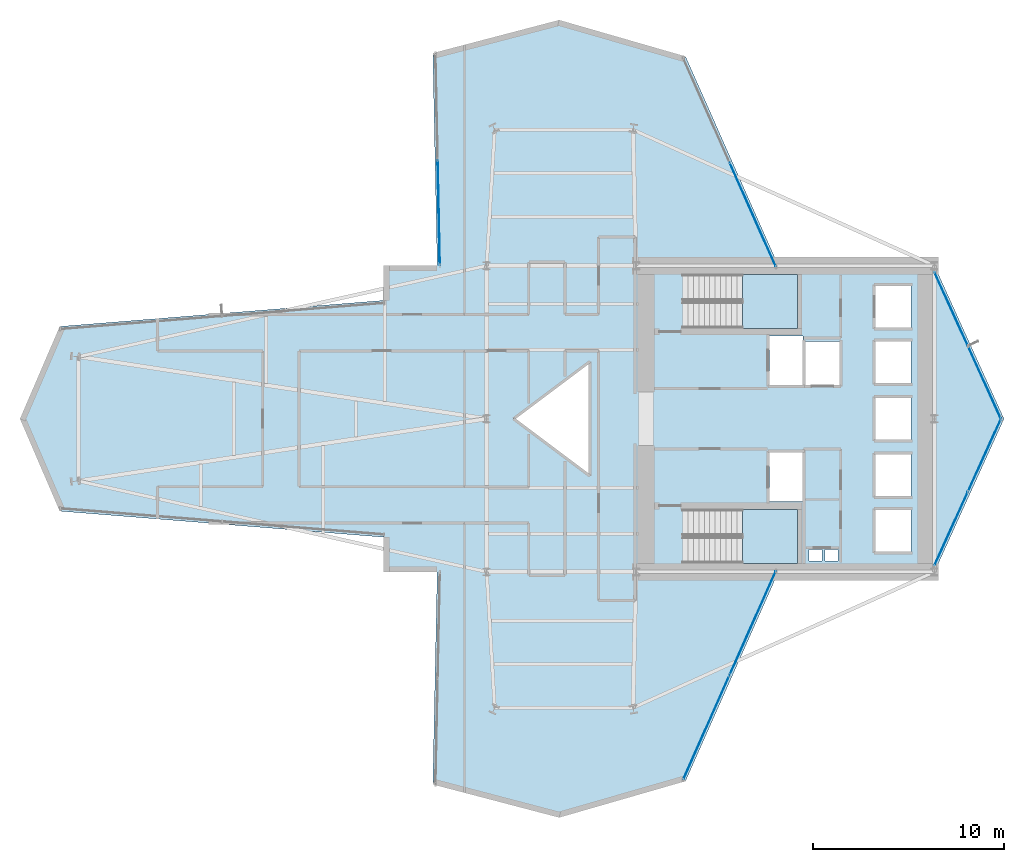
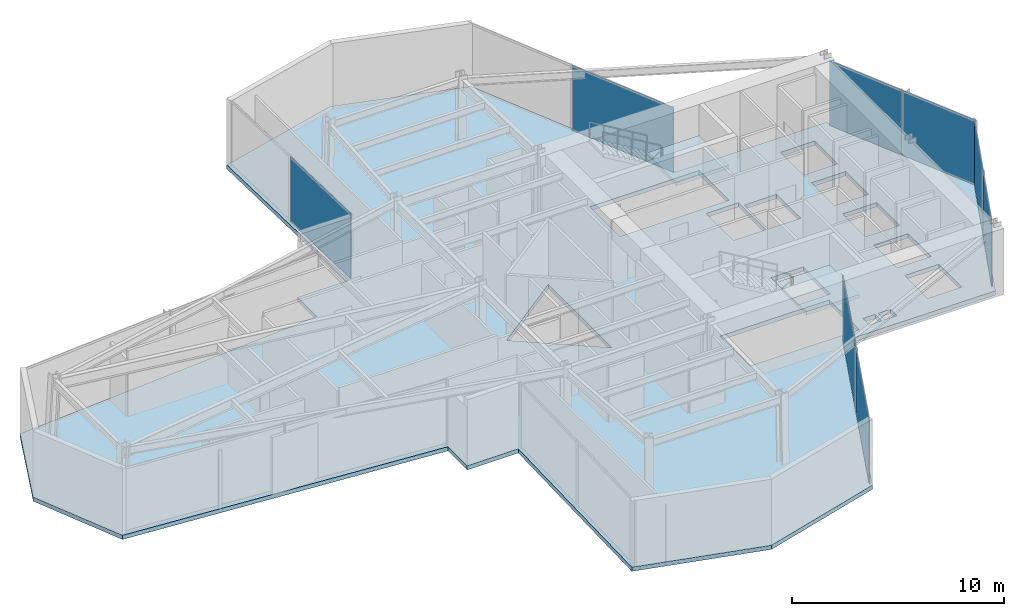
# One storey, part 19 of 24: 8 plates, 3 slabs, 7 elements without a shape of their own.
"""IFC4 building model written with IfcOpenShell, lengths in metres."""

from ifc_helpers import new_model, si_unit, direction, frame, origin, origin_2d, place, context, subcontext, project, spatial, polyline, rectangle, outline, extrude, material, layer, layer_set, type_object, element, aggregate, save


model = new_model("IFC4")

# Units and contexts
model_context = context("Model", 3, precision=1e-05, world=origin(), true_north=direction((0.0, 1.0)))
body_context = subcontext(model_context, "Body", "Model", "MODEL_VIEW")
ifc_project = project(units=[si_unit("LENGTHUNIT", "METRE"), si_unit("AREAUNIT", "SQUARE_METRE"), si_unit("VOLUMEUNIT", "CUBIC_METRE"), si_unit("PLANEANGLEUNIT", "RADIAN"), si_unit("MASSUNIT", "GRAM", prefix="KILO")], contexts=[model_context])

# Site, building, storey
site_placement = place(None, origin())
site = spatial("IfcSite", under=ifc_project, at=site_placement, CompositionType="ELEMENT")
building_placement = place(site_placement, origin())
building = spatial("IfcBuilding", under=site, at=building_placement, Name="Veymaron Broadcast Tower", CompositionType="ELEMENT")
storey_placement = place(building_placement, frame((0.0, 0.0, 98.550048828125)))
storey = spatial("IfcBuildingStorey", under=building, at=storey_placement, Name="L22", CompositionType="ELEMENT", Elevation=98.550048828125)

# Curtain wall, plates
ifc_material_1 = material(Name="Anodised aluminium AA 6063-T6 and laminated low-E dark glass", Category="aluminium")
ifc_layer_1 = layer(ifc_material_1, 0.179931640625)
ifc_layer_set_1 = layer_set([ifc_layer_1], Name="Anodised aluminium AA 6063-T6 and laminated low-E dark glass")
curtain_wall_type = type_object("IfcCurtainWallType", Name="CW-SYS-02", PredefinedType="NOTDEFINED", material=ifc_layer_set_1)
curtain_wall_1_placement = place(storey_placement, origin())
curtain_wall_1 = element("IfcCurtainWall", 1, at=curtain_wall_1_placement, inside=storey, type_object=curtain_wall_type, Name="L22 dark-glass curtain wall CW-L22-E2-1", PredefinedType="NOTDEFINED")
ifc_material_2 = material(Name="Double-silver solar-control dark glass IGU 32 mm", Category="glass")
ifc_layer_2 = layer(ifc_material_2, 0.031982421875)
ifc_layer_set_2 = layer_set([ifc_layer_2], Name="Double-silver solar-control dark glass IGU 32 mm")
plate_type = type_object("IfcPlateType", Name="CW-PNL-02", PredefinedType="CURTAIN_PANEL", material=ifc_layer_set_2)
plate_1_placement = place(storey_placement, frame((55.468505859375, 18.2509765625, 0.0400390625), z_axis=(0.0, 0.0, 1.0), x_axis=(0.413485859852, 0.910510540138, 0.0)))
plate_1 = element("IfcPlate", 2, at=plate_1_placement, type_object=plate_type, Name="CW-L22-E2-1 unitised curtain panel 0", PredefinedType="CURTAIN_PANEL", context=body_context, shape_type="SweptSolid", body=[
    extrude(rectangle(XDim=4.19189453125, YDim=0.031982421875, at=origin_2d()), origin(), (0.0, 0.0, 1.0), 3.72998046875),
])
plate_2_placement = place(storey_placement, frame((57.226318359375, 22.122314453125, 0.0400390625), z_axis=(0.0, 0.0, 1.0), x_axis=(0.413485859852, 0.910510540138, 0.0)))
plate_2 = element("IfcPlate", 3, at=plate_2_placement, type_object=plate_type, Name="CW-L22-E2-1 unitised curtain panel 1", PredefinedType="CURTAIN_PANEL", context=body_context, shape_type="SweptSolid", body=[
    extrude(rectangle(XDim=4.19189453125, YDim=0.031982421875, at=origin_2d()), origin(), (0.0, 0.0, 1.0), 3.72998046875),
])
aggregate(curtain_wall_1, [plate_1, plate_2])

curtain_wall_2_placement = place(storey_placement, origin())
curtain_wall_2 = element("IfcCurtainWall", 4, at=curtain_wall_2_placement, inside=storey, type_object=curtain_wall_type, Name="L22 dark-glass curtain wall CW-L22-E3-1", PredefinedType="NOTDEFINED")
plate_3_placement = place(storey_placement, frame((57.226318359375, 25.877685546875, 0.0400390625), z_axis=(0.0, 0.0, 1.0), x_axis=(-0.413485859852, 0.910510540138, 0.0)))
plate_3 = element("IfcPlate", 5, at=plate_3_placement, type_object=plate_type, Name="CW-L22-E3-1 unitised curtain panel 0", PredefinedType="CURTAIN_PANEL", context=body_context, shape_type="SweptSolid", body=[
    extrude(rectangle(XDim=4.19189453125, YDim=0.031982421875, at=origin_2d()), origin(), (0.0, 0.0, 1.0), 3.72998046875),
])
plate_4_placement = place(storey_placement, frame((55.468505859375, 29.7490234375, 0.0400390625), z_axis=(0.0, 0.0, 1.0), x_axis=(-0.413485859852, 0.910510540138, 0.0)))
plate_4 = element("IfcPlate", 6, at=plate_4_placement, type_object=plate_type, Name="CW-L22-E3-1 unitised curtain panel 1", PredefinedType="CURTAIN_PANEL", context=body_context, shape_type="SweptSolid", body=[
    extrude(rectangle(XDim=4.19189453125, YDim=0.031982421875, at=origin_2d()), origin(), (0.0, 0.0, 1.0), 3.72998046875),
])
aggregate(curtain_wall_2, [plate_3, plate_4])

# Curtain wall, plate
curtain_wall_3_placement = place(storey_placement, origin())
curtain_wall_3 = element("IfcCurtainWall", 7, at=curtain_wall_3_placement, inside=storey, type_object=curtain_wall_type, Name="L22 dark-glass curtain wall CW-L22-E5-1", PredefinedType="NOTDEFINED")
plate_5_placement = place(storey_placement, frame((45.103515625, 34.6748046875, 0.0400390625), z_axis=(0.0, 0.0, 1.0), x_axis=(-0.405907368121, 0.913914223823, 0.0)))
plate_5 = element("IfcPlate", 8, at=plate_5_placement, type_object=plate_type, Name="CW-L22-E5-1 unitised curtain panel 0", PredefinedType="CURTAIN_PANEL", context=body_context, shape_type="SweptSolid", body=[
    extrude(rectangle(XDim=5.91748046875, YDim=0.031982421875, at=origin_2d()), origin(), (0.0, 0.0, 1.0), 3.72998046875),
])
aggregate(curtain_wall_3, [plate_5])

curtain_wall_4_placement = place(storey_placement, origin())
curtain_wall_4 = element("IfcCurtainWall", 9, at=curtain_wall_4_placement, inside=storey, type_object=curtain_wall_type, Name="L22 dark-glass curtain wall CW-L22-E8-1", PredefinedType="NOTDEFINED")
plate_6_placement = place(storey_placement, frame((28.697998046875, 34.777587890625, 0.0400390625), z_axis=(0.0, 0.0, 1.0), x_axis=(0.020680677198, -0.999786131926, 0.0)))
plate_6 = element("IfcPlate", 10, at=plate_6_placement, type_object=plate_type, Name="CW-L22-E8-1 unitised curtain panel 1", PredefinedType="CURTAIN_PANEL", context=body_context, shape_type="SweptSolid", body=[
    extrude(rectangle(XDim=5.49072265625, YDim=0.031982421875, at=origin_2d()), origin(), (0.0, 0.0, 1.0), 3.72998046875),
])
aggregate(curtain_wall_4, [plate_6])

# Curtain wall, plates
curtain_wall_5_placement = place(storey_placement, origin())
curtain_wall_5 = element("IfcCurtainWall", 11, at=curtain_wall_5_placement, inside=storey, type_object=curtain_wall_type, Name="L22 dark-glass curtain wall CW-L22-E20-1", PredefinedType="NOTDEFINED")
plate_7_placement = place(storey_placement, frame((42.67724609375, 7.8623046875, 0.0400390625), z_axis=(0.0, 0.0, 1.0), x_axis=(0.405907368121, 0.913914223823, 0.0)))
plate_7 = element("IfcPlate", 12, at=plate_7_placement, type_object=plate_type, Name="CW-L22-E20-1 unitised curtain panel 0", PredefinedType="CURTAIN_PANEL", context=body_context, shape_type="SweptSolid", body=[
    extrude(rectangle(XDim=5.91748046875, YDim=0.031982421875, at=origin_2d()), origin(), (0.0, 0.0, 1.0), 3.72998046875),
])
plate_8_placement = place(storey_placement, frame((45.103515625, 13.3251953125, 0.0400390625), z_axis=(0.0, 0.0, 1.0), x_axis=(0.405907368121, 0.913914223823, 0.0)))
plate_8 = element("IfcPlate", 13, at=plate_8_placement, type_object=plate_type, Name="CW-L22-E20-1 unitised curtain panel 1", PredefinedType="CURTAIN_PANEL", context=body_context, shape_type="SweptSolid", body=[
    extrude(rectangle(XDim=5.91748046875, YDim=0.031982421875, at=origin_2d()), origin(), (0.0, 0.0, 1.0), 3.72998046875),
])
aggregate(curtain_wall_5, [plate_7, plate_8])

# Slab
ifc_material_3 = material(Name="Concrete C40/50", Category="concrete")
ifc_layer_3 = layer(ifc_material_3, 0.239990234375)
ifc_layer_set_3 = layer_set([ifc_layer_3], Name="Concrete C40/50")
slab_type_1 = type_object("IfcSlabType", Name="SLAB-FS6", PredefinedType="FLOOR", material=ifc_layer_set_3)
slab_1_placement = place(storey_placement, frame((0.0, 0.0, -0.239990234375)))
element("IfcSlab", 14, at=slab_1_placement, inside=storey, type_object=slab_type_1, Name="L22 structural floor slab", PredefinedType="FLOOR", context=body_context, shape_type="SweptSolid", body=[
    extrude(outline(polyline([(46.444580078125, 16.0), (54.60009765625, 16.0), (58.23291015625, 24.0), (54.60009765625, 32.0), (46.444580078125, 32.0), (41.592041015625, 42.926025390625), (34.989013671875, 44.8291015625), (28.385986328125, 43.09912109375), (28.615478515625, 32.0), (25.83203125, 32.0), (25.83203125, 30.18798828125), (8.89990234375, 28.8251953125), (6.823974609375, 24.0), (8.89990234375, 19.1748046875), (25.83203125, 17.81201171875), (25.83203125, 16.0), (28.615478515625, 16.0), (28.385986328125, 4.90087890625), (34.989013671875, 3.1708984375), (41.592041015625, 5.073974609375), (46.444580078125, 16.0)]), holes=[polyline([(45.969970703125, 28.330078125), (47.72998046875, 28.330078125), (47.72998046875, 25.77001953125), (45.969970703125, 25.77001953125), (45.969970703125, 28.330078125)]), polyline([(45.969970703125, 22.22998046875), (47.72998046875, 22.22998046875), (47.72998046875, 19.669921875), (45.969970703125, 19.669921875), (45.969970703125, 22.22998046875)]), polyline([(47.8701171875, 28.030029296875), (49.6298828125, 28.030029296875), (49.6298828125, 25.77001953125), (47.8701171875, 25.77001953125), (47.8701171875, 28.030029296875)]), polyline([(51.52001953125, 30.929931640625), (53.3798828125, 30.929931640625), (53.3798828125, 28.77001953125), (51.52001953125, 28.77001953125), (51.52001953125, 30.929931640625)]), polyline([(51.52001953125, 28.030029296875), (53.3798828125, 28.030029296875), (53.3798828125, 25.8701171875), (51.52001953125, 25.8701171875), (51.52001953125, 28.030029296875)]), polyline([(51.52001953125, 22.1298828125), (53.3798828125, 22.1298828125), (53.3798828125, 19.969970703125), (51.52001953125, 19.969970703125), (51.52001953125, 22.1298828125)]), polyline([(51.52001953125, 25.080078125), (53.3798828125, 25.080078125), (53.3798828125, 22.919921875), (51.52001953125, 22.919921875), (51.52001953125, 25.080078125)]), polyline([(51.52001953125, 19.22998046875), (53.3798828125, 19.22998046875), (53.3798828125, 17.070068359375), (51.52001953125, 17.070068359375), (51.52001953125, 19.22998046875)]), polyline([(48.050048828125, 17.159912109375), (48.719970703125, 17.159912109375), (48.719970703125, 16.56005859375), (48.050048828125, 16.56005859375), (48.050048828125, 17.159912109375)]), polyline([(48.8798828125, 17.159912109375), (49.550048828125, 17.159912109375), (49.550048828125, 16.56005859375), (48.8798828125, 16.56005859375), (48.8798828125, 17.159912109375)]), polyline([(36.60009765625, 27.0), (36.60009765625, 21.0), (32.60009765625, 24.0), (36.60009765625, 27.0)]), polyline([(41.489990234375, 31.550048828125), (47.43994140625, 31.550048828125), (47.43994140625, 28.72998046875), (41.489990234375, 28.72998046875), (41.489990234375, 31.550048828125)]), polyline([(41.489990234375, 19.27001953125), (47.43994140625, 19.27001953125), (47.43994140625, 16.449951171875), (41.489990234375, 16.449951171875), (41.489990234375, 19.27001953125)])]), origin(), (0.0, 0.0, 1.0), 0.239990234375),
])

# Stair, slab
ifc_material_4 = material(Name="Concrete C50/60", Category="concrete")
stair_type_1 = type_object("IfcStairType", Name="STAIR-CORE-1", PredefinedType="HALF_TURN_STAIR", material=ifc_material_4)
stair_1_placement = place(storey_placement, origin())
stair_1 = element("IfcStair", 15, at=stair_1_placement, inside=storey, type_object=stair_type_1, Name="L22 North protected dog-leg exit stair ST1", PredefinedType="HALF_TURN_STAIR")
ifc_layer_4 = layer(ifc_material_4, 0.199951171875)
ifc_layer_set_4 = layer_set([ifc_layer_4], Name="Concrete C50/60")
slab_type_2 = type_object("IfcSlabType", Name="SLAB-STAIR-LDG", PredefinedType="LANDING", material=ifc_layer_set_4)
slab_2_placement = place(storey_placement, frame((0.0, 0.0, 1.824951171875)))
slab_2 = element("IfcSlab", 16, at=slab_2_placement, type_object=slab_type_2, Name="ST1 landing 1", PredefinedType="LANDING", context=body_context, shape_type="SweptSolid", body=[
    extrude(outline(polyline([(44.56494140625, 28.72998046875), (47.43994140625, 28.72998046875), (47.43994140625, 31.550048828125), (44.56494140625, 31.550048828125), (44.56494140625, 28.72998046875)])), origin(), (0.0, 0.0, 1.0), 0.199951171875),
])
aggregate(stair_1, [slab_2])

stair_type_2 = type_object("IfcStairType", Name="STAIR-CORE-2", PredefinedType="HALF_TURN_STAIR", material=ifc_material_4)
stair_2_placement = place(storey_placement, origin())
stair_2 = element("IfcStair", 17, at=stair_2_placement, inside=storey, type_object=stair_type_2, Name="L22 South protected dog-leg exit stair ST2", PredefinedType="HALF_TURN_STAIR")
slab_3_placement = place(storey_placement, frame((0.0, 0.0, 1.824951171875)))
slab_3 = element("IfcSlab", 18, at=slab_3_placement, type_object=slab_type_2, Name="ST2 landing 1", PredefinedType="LANDING", context=body_context, shape_type="SweptSolid", body=[
    extrude(outline(polyline([(44.56494140625, 16.449951171875), (47.43994140625, 16.449951171875), (47.43994140625, 19.27001953125), (44.56494140625, 19.27001953125), (44.56494140625, 16.449951171875)])), origin(), (0.0, 0.0, 1.0), 0.199951171875),
])
aggregate(stair_2, [slab_3])

save(model, "model.ifc")
